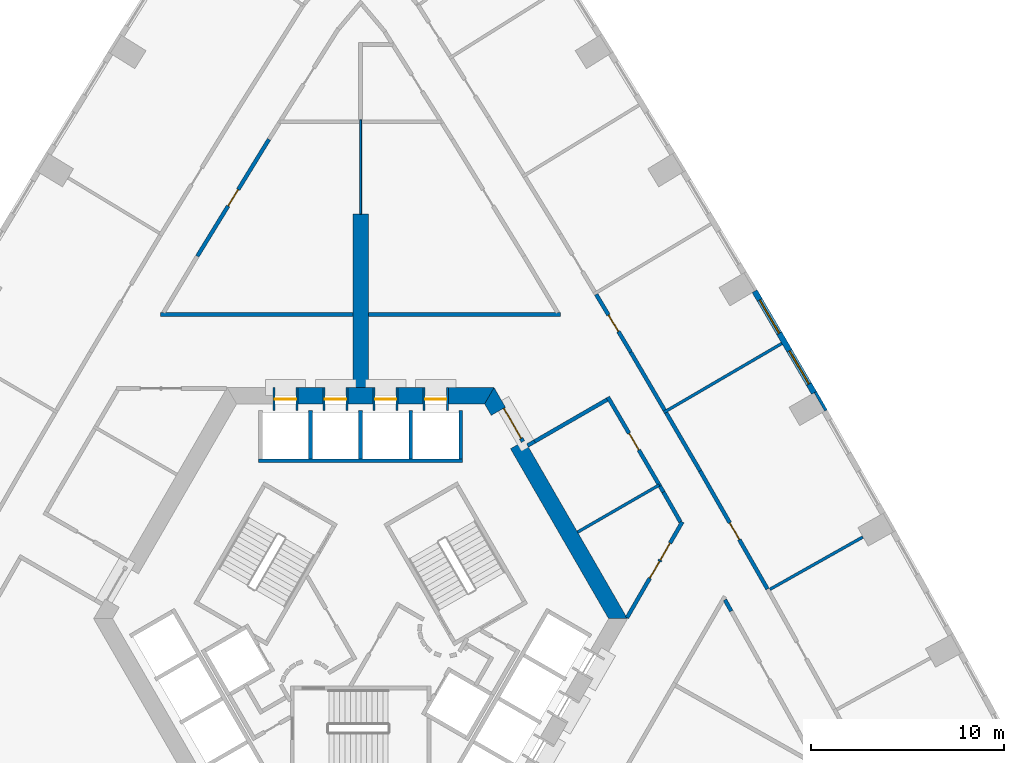
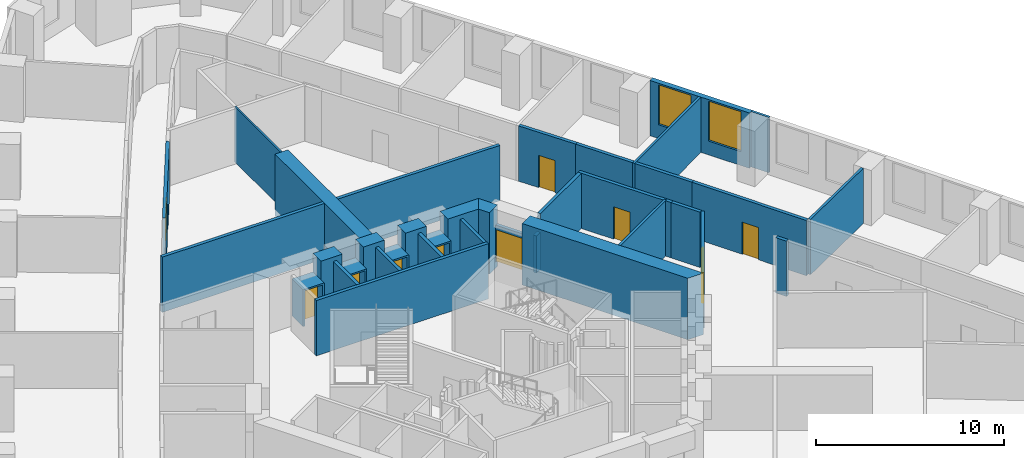
# One storey, part 9 of 15: 37 walls, 11 doors, 2 windows, 13 openings.
"""IFC4 building model written with IfcOpenShell, lengths in metres."""

from ifc_helpers import new_model, si_unit, direction, frame, frame_2d, origin, place, context, subcontext, project, spatial, polyline, rectangle, outline, extrude, material, layer, layer_set, type_object, element, fill, save


model = new_model("IFC4")

# Units and contexts
model_context = context("Model", 3, precision=1e-05, world=origin(), true_north=direction((0.0, 1.0)))
body_context = subcontext(model_context, "Body", "Model", "MODEL_VIEW")
ifc_project = project(units=[si_unit("LENGTHUNIT", "METRE"), si_unit("AREAUNIT", "SQUARE_METRE"), si_unit("VOLUMEUNIT", "CUBIC_METRE"), si_unit("PLANEANGLEUNIT", "RADIAN"), si_unit("MASSUNIT", "GRAM", prefix="KILO")], contexts=[model_context])

# Site, building, storey
site_placement = place(None, origin())
site = spatial("IfcSite", under=ifc_project, at=site_placement, CompositionType="ELEMENT")
building_placement = place(site_placement, origin())
building = spatial("IfcBuilding", under=site, at=building_placement, Name="Entoto Arch Interchange Tower", CompositionType="ELEMENT")
storey_placement = place(building_placement, frame((0.0, 0.0, 128.60009765625)))
storey = spatial("IfcBuildingStorey", under=building, at=storey_placement, Name="L28", CompositionType="ELEMENT", Elevation=128.60009765625)

# Wall
ifc_material_1 = material(Name="Concrete C60/75", Category="concrete")
ifc_layer_1 = layer(ifc_material_1, 0.800048828125)
ifc_layer_set_1 = layer_set([ifc_layer_1], Name="Concrete C60/75")
wall_type_1 = type_object("IfcWallType", Name="Buttress wall 800 C60/75", PredefinedType="SHEAR", material=ifc_layer_set_1)
wall_1_placement = place(storey_placement, frame((0.0, 14.5, -0.400146484375), z_axis=(0.0, 0.0, 1.0), x_axis=(0.0, 1.0, 0.0)))
element("IfcWall", 1, at=wall_1_placement, inside=storey, type_object=wall_type_1, Name="Buttress wall N L28", PredefinedType="SHEAR", context=body_context, shape_type="SweptSolid", body=[
    extrude(rectangle(XDim=9.0, YDim=0.800048828125, at=frame_2d((4.5, 0.0))), origin(), (0.0, 0.0, 1.0), 4.0),
])

# Wall, opening, door
ifc_material_2 = material(Name="Reinforced concrete C40/50", Category="concrete")
ifc_layer_2 = layer(ifc_material_2, 0.199951171875)
ifc_layer_set_2 = layer_set([ifc_layer_2], Name="Reinforced concrete C40/50")
wall_type_2 = type_object("IfcWallType", Name="CORE GAP INFILL WALL", PredefinedType="PARTITIONING", material=ifc_layer_set_2)
wall_2_placement = place(storey_placement, frame((8.429931640625, 11.697998046875, 0.0), z_axis=(0.0, 0.0, 1.0), x_axis=(-0.50002537861, 0.866010750942, 0.0)))
wall_2 = element("IfcWall", 2, at=wall_2_placement, inside=storey, type_object=wall_type_2, Name="wall:L28:gap2", PredefinedType="PARTITIONING", context=body_context, shape_type="SweptSolid", body=[
    extrude(rectangle(XDim=2.0, YDim=0.199951171875, at=frame_2d((1.0, 0.0))), origin(), (0.0, 0.0, 1.0), 2.39990234375),
])
opening_1_placement = place(wall_2_placement, frame((0.18994140625, 0.0, 0.0)))
opening_1 = element("IfcOpeningElement", 3, at=opening_1_placement, cuts=wall_2, Name="Opening L28-D92", PredefinedType="OPENING", context=body_context, shape_type="SweptSolid", body=[
    extrude(rectangle(XDim=1.800048828125, YDim=2.10009765625, at=frame_2d((0.89990234375, 1.050048828125))), frame((0.0, 0.10986328125, 0.0), z_axis=(0.0, -1.0, 0.0), x_axis=(1.0, 0.0, 0.0)), (0.0, 0.0, 1.0), 0.219970703125),
])
ifc_material_3 = material(Name="Fire-rated Steel S235 door and frame", Category="steel")
door_type_1 = type_object("IfcDoorType", Name="DOOR FD-18 1800x2100", OperationType="DOUBLE_DOOR_SINGLE_SWING", PredefinedType="DOOR", material=ifc_material_3)
door_1_placement = place(opening_1_placement, origin())
door_1 = element("IfcDoor", 4, at=door_1_placement, inside=storey, type_object=door_type_1, Name="door:L28:gap2", OperationType="DOUBLE_DOOR_SINGLE_SWING", OverallHeight=2.10009765625, OverallWidth=1.800048828125, PredefinedType="DOOR", context=body_context, shape_type="SweptSolid", body=[
    extrude(rectangle(XDim=1.800048828125, YDim=2.10009765625, at=frame_2d((0.89990234375, 1.050048828125))), frame((0.0, 0.02490234375, 0.0), z_axis=(0.0, -1.0, 0.0), x_axis=(1.0, 0.0, 0.0)), (0.0, 0.0, 1.0), 0.050048828125),
])
fill(opening_1, door_1)

# Walls
ifc_layer_3 = layer(ifc_material_1, 0.85009765625)
ifc_layer_set_3 = layer_set([ifc_layer_3], Name="Concrete C60/75")
wall_type_3 = type_object("IfcWallType", Name="Core wall 850 C60/75", PredefinedType="SHEAR", material=ifc_layer_set_3)
wall_3_placement = place(storey_placement, frame((0.0, 0.0, -0.400146484375)))
element("IfcWall", 5, at=wall_3_placement, inside=storey, type_object=wall_type_3, Name="Core wall NE L28", PredefinedType="SHEAR", context=body_context, shape_type="SweptSolid", body=[
    extrude(outline(polyline([(8.51708984375, 11.748046875), (7.781005859375, 11.322998046875), (12.875, 2.5), (13.85595703125, 2.5), (8.51708984375, 11.748046875)])), origin(), (0.0, 0.0, 1.0), 4.0),
])
wall_4_placement = place(storey_placement, frame((0.0, 0.0, -0.400146484375)))
element("IfcWall", 6, at=wall_4_placement, inside=storey, type_object=wall_type_3, Name="Core wall NE L28", PredefinedType="SHEAR", context=body_context, shape_type="SweptSolid", body=[
    extrude(outline(polyline([(6.781005859375, 13.054931640625), (7.51708984375, 13.47998046875), (6.927978515625, 14.5), (6.43701171875, 13.64990234375), (6.781005859375, 13.054931640625)])), origin(), (0.0, 0.0, 1.0), 4.0),
])
wall_5_placement = place(storey_placement, frame((0.0, 0.0, -0.400146484375)))
element("IfcWall", 7, at=wall_5_placement, inside=storey, type_object=wall_type_3, Name="Core wall N L28", PredefinedType="SHEAR", context=body_context, shape_type="SweptSolid", body=[
    extrude(outline(polyline([(4.550048828125, 14.5), (4.550048828125, 13.64990234375), (6.43701171875, 13.64990234375), (6.927978515625, 14.5), (4.550048828125, 14.5)])), origin(), (0.0, 0.0, 1.0), 4.0),
])
wall_6_placement = place(storey_placement, frame((0.0, 0.0, -0.400146484375)))
element("IfcWall", 8, at=wall_6_placement, inside=storey, type_object=wall_type_3, Name="Core wall N L28", PredefinedType="SHEAR", context=body_context, shape_type="SweptSolid", body=[
    extrude(outline(polyline([(1.949951171875, 14.5), (1.949951171875, 13.64990234375), (3.25, 13.64990234375), (3.25, 14.5), (1.949951171875, 14.5)])), origin(), (0.0, 0.0, 1.0), 4.0),
])
wall_7_placement = place(storey_placement, frame((0.0, 0.0, -0.400146484375)))
element("IfcWall", 9, at=wall_7_placement, inside=storey, type_object=wall_type_3, Name="Core wall N L28", PredefinedType="SHEAR", context=body_context, shape_type="SweptSolid", body=[
    extrude(outline(polyline([(-0.64990234375, 14.5), (-0.64990234375, 13.64990234375), (0.64990234375, 13.64990234375), (0.64990234375, 14.5), (-0.64990234375, 14.5)])), origin(), (0.0, 0.0, 1.0), 4.0),
])
wall_8_placement = place(storey_placement, frame((0.0, 0.0, -0.400146484375)))
element("IfcWall", 10, at=wall_8_placement, inside=storey, type_object=wall_type_3, Name="Core wall N L28", PredefinedType="SHEAR", context=body_context, shape_type="SweptSolid", body=[
    extrude(outline(polyline([(-3.25, 14.5), (-3.25, 13.64990234375), (-1.949951171875, 13.64990234375), (-1.949951171875, 14.5), (-3.25, 14.5)])), origin(), (0.0, 0.0, 1.0), 4.0),
])

# Wall, opening, door
ifc_material_4 = material(Name="Concrete C40/50", Category="concrete")
ifc_layer_4 = layer(ifc_material_4, 1.199951171875)
ifc_layer_set_4 = layer_set([ifc_layer_4], Name="Concrete C40/50")
wall_type_4 = type_object("IfcWallType", Name="LIFT LANDING INFILL WALL", PredefinedType="STANDARD", material=ifc_layer_set_4)
wall_9_placement = place(storey_placement, frame((4.550048828125, 13.89990234375, 0.0), z_axis=(0.0, 0.0, 1.0), x_axis=(-1.0, 0.0, 0.0)))
wall_9 = element("IfcWall", 11, at=wall_9_placement, inside=storey, type_object=wall_type_4, Name="Lift landing infill wall LR1 L28", PredefinedType="STANDARD", context=body_context, shape_type="SweptSolid", body=[
    extrude(rectangle(XDim=1.300048828125, YDim=1.199951171875, at=frame_2d((0.64990234375, 0.0))), origin(), (0.0, 0.0, 1.0), 2.39990234375),
])
opening_2_placement = place(wall_9_placement, frame((0.10009765625, 0.0, 0.0)))
opening_2 = element("IfcOpeningElement", 12, at=opening_2_placement, cuts=wall_9, Name="Opening LD-LR1-L28", PredefinedType="OPENING", context=body_context, shape_type="SweptSolid", body=[
    extrude(rectangle(XDim=1.10009765625, YDim=2.300048828125, at=frame_2d((0.550048828125, 1.14990234375))), frame((0.0, 0.60986328125, 0.0), z_axis=(0.0, -1.0, 0.0), x_axis=(1.0, 0.0, 0.0)), (0.0, 0.0, 1.0), 1.219970703125),
])
ifc_material_5 = material(Name="Stainless steel 1.4301 panels", Category="steel")
door_type_2 = type_object("IfcDoorType", Name="LIFT LANDING DOOR LD2 1100x2300", OperationType="SLIDING_TO_LEFT", PredefinedType="DOOR", material=ifc_material_5)
door_2_placement = place(opening_2_placement, origin())
door_2 = element("IfcDoor", 13, at=door_2_placement, inside=storey, type_object=door_type_2, Name="Lift landing door LR1 L28", OperationType="SLIDING_TO_LEFT", OverallHeight=2.300048828125, OverallWidth=1.10009765625, PredefinedType="DOOR", context=body_context, shape_type="SweptSolid", body=[
    extrude(rectangle(XDim=1.10009765625, YDim=2.300048828125, at=frame_2d((0.550048828125, 1.14990234375))), frame((0.0, 0.02490234375, 0.0), z_axis=(0.0, -1.0, 0.0), x_axis=(1.0, 0.0, 0.0)), (0.0, 0.0, 1.0), 0.050048828125),
])
fill(opening_2, door_2)

wall_10_placement = place(storey_placement, frame((1.949951171875, 13.89990234375, 0.0), z_axis=(0.0, 0.0, 1.0), x_axis=(-1.0, 0.0, 0.0)))
wall_10 = element("IfcWall", 14, at=wall_10_placement, inside=storey, type_object=wall_type_4, Name="Lift landing infill wall LR2 L28", PredefinedType="STANDARD", context=body_context, shape_type="SweptSolid", body=[
    extrude(rectangle(XDim=1.300048828125, YDim=1.199951171875, at=frame_2d((0.64990234375, 0.0))), origin(), (0.0, 0.0, 1.0), 2.39990234375),
])
opening_3_placement = place(wall_10_placement, frame((0.10009765625, 0.0, 0.0)))
opening_3 = element("IfcOpeningElement", 15, at=opening_3_placement, cuts=wall_10, Name="Opening LD-LR2-L28", PredefinedType="OPENING", context=body_context, shape_type="SweptSolid", body=[
    extrude(rectangle(XDim=1.10009765625, YDim=2.300048828125, at=frame_2d((0.550048828125, 1.14990234375))), frame((0.0, 0.60986328125, 0.0), z_axis=(0.0, -1.0, 0.0), x_axis=(1.0, 0.0, 0.0)), (0.0, 0.0, 1.0), 1.219970703125),
])
door_3_placement = place(opening_3_placement, origin())
door_3 = element("IfcDoor", 16, at=door_3_placement, inside=storey, type_object=door_type_2, Name="Lift landing door LR2 L28", OperationType="SLIDING_TO_LEFT", OverallHeight=2.300048828125, OverallWidth=1.10009765625, PredefinedType="DOOR", context=body_context, shape_type="SweptSolid", body=[
    extrude(rectangle(XDim=1.10009765625, YDim=2.300048828125, at=frame_2d((0.550048828125, 1.14990234375))), frame((0.0, 0.02490234375, 0.0), z_axis=(0.0, -1.0, 0.0), x_axis=(1.0, 0.0, 0.0)), (0.0, 0.0, 1.0), 0.050048828125),
])
fill(opening_3, door_3)

wall_11_placement = place(storey_placement, frame((-0.64990234375, 13.89990234375, 0.0), z_axis=(0.0, 0.0, 1.0), x_axis=(-1.0, 0.0, 0.0)))
wall_11 = element("IfcWall", 17, at=wall_11_placement, inside=storey, type_object=wall_type_4, Name="Lift landing infill wall LR3 L28", PredefinedType="STANDARD", context=body_context, shape_type="SweptSolid", body=[
    extrude(rectangle(XDim=1.300048828125, YDim=1.199951171875, at=frame_2d((0.64990234375, 0.0))), origin(), (0.0, 0.0, 1.0), 2.39990234375),
])
opening_4_placement = place(wall_11_placement, frame((0.10009765625, 0.0, 0.0)))
opening_4 = element("IfcOpeningElement", 18, at=opening_4_placement, cuts=wall_11, Name="Opening LD-LR3-L28", PredefinedType="OPENING", context=body_context, shape_type="SweptSolid", body=[
    extrude(rectangle(XDim=1.10009765625, YDim=2.300048828125, at=frame_2d((0.550048828125, 1.14990234375))), frame((0.0, 0.60986328125, 0.0), z_axis=(0.0, -1.0, 0.0), x_axis=(1.0, 0.0, 0.0)), (0.0, 0.0, 1.0), 1.219970703125),
])
door_4_placement = place(opening_4_placement, origin())
door_4 = element("IfcDoor", 19, at=door_4_placement, inside=storey, type_object=door_type_2, Name="Lift landing door LR3 L28", OperationType="SLIDING_TO_LEFT", OverallHeight=2.300048828125, OverallWidth=1.10009765625, PredefinedType="DOOR", context=body_context, shape_type="SweptSolid", body=[
    extrude(rectangle(XDim=1.10009765625, YDim=2.300048828125, at=frame_2d((0.550048828125, 1.14990234375))), frame((0.0, 0.02490234375, 0.0), z_axis=(0.0, -1.0, 0.0), x_axis=(1.0, 0.0, 0.0)), (0.0, 0.0, 1.0), 0.050048828125),
])
fill(opening_4, door_4)

wall_12_placement = place(storey_placement, frame((-3.25, 13.89990234375, 0.0), z_axis=(0.0, 0.0, 1.0), x_axis=(-1.0, 0.0, 0.0)))
wall_12 = element("IfcWall", 20, at=wall_12_placement, inside=storey, type_object=wall_type_4, Name="Lift landing infill wall LR4 L28", PredefinedType="STANDARD", context=body_context, shape_type="SweptSolid", body=[
    extrude(rectangle(XDim=1.300048828125, YDim=1.199951171875, at=frame_2d((0.64990234375, 0.0))), origin(), (0.0, 0.0, 1.0), 2.39990234375),
])
opening_5_placement = place(wall_12_placement, frame((0.10009765625, 0.0, 0.0)))
opening_5 = element("IfcOpeningElement", 21, at=opening_5_placement, cuts=wall_12, Name="Opening LD-LR4-L28", PredefinedType="OPENING", context=body_context, shape_type="SweptSolid", body=[
    extrude(rectangle(XDim=1.10009765625, YDim=2.300048828125, at=frame_2d((0.550048828125, 1.14990234375))), frame((0.0, 0.60986328125, 0.0), z_axis=(0.0, -1.0, 0.0), x_axis=(1.0, 0.0, 0.0)), (0.0, 0.0, 1.0), 1.219970703125),
])
door_5_placement = place(opening_5_placement, origin())
door_5 = element("IfcDoor", 22, at=door_5_placement, inside=storey, type_object=door_type_2, Name="Lift landing door LR4 L28", OperationType="SLIDING_TO_LEFT", OverallHeight=2.300048828125, OverallWidth=1.10009765625, PredefinedType="DOOR", context=body_context, shape_type="SweptSolid", body=[
    extrude(rectangle(XDim=1.10009765625, YDim=2.300048828125, at=frame_2d((0.550048828125, 1.14990234375))), frame((0.0, 0.02490234375, 0.0), z_axis=(0.0, -1.0, 0.0), x_axis=(1.0, 0.0, 0.0)), (0.0, 0.0, 1.0), 0.050048828125),
])
fill(opening_5, door_5)

# Walls
ifc_layer_5 = layer(ifc_material_4, 0.199951171875)
ifc_layer_set_5 = layer_set([ifc_layer_5], Name="Concrete C40/50")
wall_type_5 = type_object("IfcWallType", Name="LIFT SHAFT WALL 200", PredefinedType="STANDARD", material=ifc_layer_set_5)
wall_13_placement = place(storey_placement, frame((5.300048828125, 10.699951171875, 0.0), z_axis=(0.0, 0.0, 1.0), x_axis=(-1.0, 0.0, 0.0)))
element("IfcWall", 23, at=wall_13_placement, inside=storey, type_object=wall_type_5, Name="Shaft wall N3 front", PredefinedType="STANDARD", context=body_context, shape_type="SweptSolid", body=[
    extrude(rectangle(XDim=10.60009765625, YDim=0.199951171875, at=frame_2d((5.300048828125, 0.0))), origin(), (0.0, 0.0, 1.0), 3.599853515625),
])
for number, where, z_axis, x_axis, name in (
    (24, (5.199951171875, 10.800048828125, 0.0), (0.0, 0.0, 1.0), (0.0, 1.0, 0.0), "Shaft wall N3 cross 1"),
    (25, (2.60009765625, 10.800048828125, 0.0), (0.0, 0.0, 1.0), (0.0, 1.0, 0.0), "Shaft wall N3 cross 2"),
    (26, (0.0, 10.800048828125, 0.0), (0.0, 0.0, 1.0), (0.0, 1.0, 0.0), "Shaft wall N3 cross 3"),
    (27, (-2.60009765625, 10.800048828125, 0.0), (0.0, 0.0, 1.0), (0.0, 1.0, 0.0), "Shaft wall N3 cross 4"),
):
    element("IfcWall", number, at=place(storey_placement, frame(where, z_axis=z_axis, x_axis=x_axis)), inside=storey, type_object=wall_type_5, Name=name, PredefinedType="STANDARD", context=body_context, shape_type="SweptSolid", body=[
        extrude(rectangle(XDim=2.5, YDim=0.199951171875, at=frame_2d((1.25, 0.0))), origin(), (0.0, 0.0, 1.0), 3.599853515625),
    ])
ifc_material_6 = material(Name="Gypsum board partition on steel studs", Category="steel")
ifc_layer_6 = layer(ifc_material_6, 0.10009765625)
ifc_layer_set_6 = layer_set([ifc_layer_6], Name="Gypsum board partition on steel studs")
wall_type_6 = type_object("IfcWallType", Name="PARTITION 100", PredefinedType="PARTITIONING", material=ifc_layer_set_6)
wall_14_placement = place(storey_placement, frame((0.0, 23.5, 0.0), z_axis=(0.0, 0.0, 1.0), x_axis=(0.0, 1.0, 0.0)))
element("IfcWall", 28, at=wall_14_placement, inside=storey, type_object=wall_type_6, Name="wall:L28:p124", PredefinedType="PARTITIONING", context=body_context, shape_type="SweptSolid", body=[
    extrude(rectangle(XDim=4.89990234375, YDim=0.10009765625, at=frame_2d((2.449951171875, 0.0))), origin(), (0.0, 0.0, 1.0), 3.599853515625),
])
ifc_layer_7 = layer(ifc_material_6, 0.14990234375)
ifc_layer_set_7 = layer_set([ifc_layer_7], Name="Gypsum board partition on steel studs")
wall_type_7 = type_object("IfcWallType", Name="PARTITION 150", PredefinedType="PARTITIONING", material=ifc_layer_set_7)
wall_15_placement = place(storey_placement, frame((11.260986328125, 6.993896484375, 0.0), z_axis=(0.0, 0.0, 1.0), x_axis=(0.866013769041, 0.500020151426, 0.0)))
element("IfcWall", 29, at=wall_15_placement, inside=storey, type_object=wall_type_7, Name="wall:L28:p097", PredefinedType="PARTITIONING", context=body_context, shape_type="SweptSolid", body=[
    extrude(rectangle(XDim=4.898193359375, YDim=0.14990234375, at=frame_2d((2.44921875, 0.0))), origin(), (0.0, 0.0, 1.0), 3.599853515625),
])
wall_16_placement = place(storey_placement, frame((21.2470703125, 4.02392578125, 0.0), z_axis=(0.0, 0.0, 1.0), x_axis=(0.871261721438, 0.490818716795, 0.0)))
element("IfcWall", 30, at=wall_16_placement, inside=storey, type_object=wall_type_7, Name="wall:L28:p139", PredefinedType="PARTITIONING", context=body_context, shape_type="SweptSolid", body=[
    extrude(rectangle(XDim=5.52978515625, YDim=0.14990234375, at=frame_2d((2.764892578125, 0.0))), origin(), (0.0, 0.0, 1.0), 3.599853515625),
])
wall_17_placement = place(storey_placement, frame((15.736083984375, 13.20703125, 0.0), z_axis=(0.0, 0.0, 1.0), x_axis=(0.863454426155, 0.504426856892, 0.0)))
element("IfcWall", 31, at=wall_17_placement, inside=storey, type_object=wall_type_7, Name="wall:L28:p140", PredefinedType="PARTITIONING", context=body_context, shape_type="SweptSolid", body=[
    extrude(rectangle(XDim=7.099365234375, YDim=0.14990234375, at=frame_2d((3.5498046875, 0.0))), origin(), (0.0, 0.0, 1.0), 3.599853515625),
])
ifc_layer_8 = layer(ifc_material_6, 0.199951171875)
ifc_layer_set_8 = layer_set([ifc_layer_8], Name="Gypsum board partition on steel studs")
wall_type_8 = type_object("IfcWallType", Name="PARTITION 200", PredefinedType="PARTITIONING", material=ifc_layer_set_8)
wall_18_placement = place(storey_placement, frame((16.60107421875, 7.52587890625, 0.0), z_axis=(0.0, 0.0, 1.0), x_axis=(-0.495652400286, 0.868520983103, 0.0)))
element("IfcWall", 32, at=wall_18_placement, inside=storey, type_object=wall_type_8, Name="wall:L28:p005", PredefinedType="PARTITIONING", context=body_context, shape_type="SweptSolid", body=[
    extrude(rectangle(XDim=1.78369140625, YDim=0.199951171875, at=frame_2d((0.891845703125, 0.0))), origin(), (0.0, 0.0, 1.0), 3.599853515625),
])
wall_19_placement = place(storey_placement, frame((15.717041015625, 9.074951171875, 0.0), z_axis=(0.0, 0.0, 1.0), x_axis=(-0.50235401398, 0.864662040706, 0.0)))
element("IfcWall", 33, at=wall_19_placement, inside=storey, type_object=wall_type_8, Name="wall:L28:p006", PredefinedType="PARTITIONING", context=body_context, shape_type="SweptSolid", body=[
    extrude(rectangle(XDim=0.350341796875, YDim=0.199951171875, at=frame_2d((0.17529296875, 0.0))), origin(), (0.0, 0.0, 1.0), 3.599853515625),
])

# Wall, opening, door
wall_20_placement = place(storey_placement, frame((15.541015625, 9.3779296875, 0.0), z_axis=(0.0, 0.0, 1.0), x_axis=(-0.504428354193, 0.863453551435, 0.0)))
wall_20 = element("IfcWall", 34, at=wall_20_placement, inside=storey, type_object=wall_type_8, Name="wall:L28:p007", PredefinedType="PARTITIONING", context=body_context, shape_type="SweptSolid", body=[
    extrude(rectangle(XDim=5.364501953125, YDim=0.199951171875, at=frame_2d((2.68212890625, 0.0))), origin(), (0.0, 0.0, 1.0), 3.599853515625),
])
opening_6_placement = place(wall_20_placement, frame((2.181884765625, 0.0, 0.0)))
opening_6 = element("IfcOpeningElement", 35, at=opening_6_placement, cuts=wall_20, Name="Opening L28-D34", PredefinedType="OPENING", context=body_context, shape_type="SweptSolid", body=[
    extrude(rectangle(XDim=1.0, YDim=2.10009765625, at=frame_2d((0.5, 1.050048828125))), frame((0.0, 0.10986328125, 0.0), z_axis=(0.0, -1.0, 0.0), x_axis=(1.0, 0.0, 0.0)), (0.0, 0.0, 1.0), 0.219970703125),
])
ifc_material_7 = material(Name="Timber door leaf in Steel S235 frame", Category="steel")
door_type_3 = type_object("IfcDoorType", Name="DOOR DS-10 1000x2100", OperationType="SINGLE_SWING_LEFT", PredefinedType="DOOR", material=ifc_material_7)
door_6_placement = place(opening_6_placement, origin())
door_6 = element("IfcDoor", 36, at=door_6_placement, inside=storey, type_object=door_type_3, Name="door:L28:34", OperationType="SINGLE_SWING_LEFT", OverallHeight=2.10009765625, OverallWidth=1.0, PredefinedType="DOOR", context=body_context, shape_type="SweptSolid", body=[
    extrude(rectangle(XDim=1.0, YDim=2.10009765625, at=frame_2d((0.5, 1.050048828125))), frame((0.0, 0.02490234375, 0.0), z_axis=(0.0, -1.0, 0.0), x_axis=(1.0, 0.0, 0.0)), (0.0, 0.0, 1.0), 0.050048828125),
])
fill(opening_6, door_6)

# Wall
wall_21_placement = place(storey_placement, frame((12.798095703125, 13.873046875, 0.0), z_axis=(0.0, 0.0, 1.0), x_axis=(-0.866080799279, -0.499904039911, 0.0)))
element("IfcWall", 37, at=wall_21_placement, inside=storey, type_object=wall_type_8, Name="wall:L28:p008", PredefinedType="PARTITIONING", context=body_context, shape_type="SweptSolid", body=[
    extrude(rectangle(XDim=4.344970703125, YDim=0.199951171875, at=frame_2d((2.17236328125, 0.0))), origin(), (0.0, 0.0, 1.0), 3.599853515625),
])

# Wall, opening, door
wall_22_placement = place(storey_placement, frame((-4.756103515625, 27.385986328125, 0.0), z_axis=(0.0, 0.0, 1.0), x_axis=(-0.522743103274, -0.852490262689, 0.0)))
wall_22 = element("IfcWall", 38, at=wall_22_placement, inside=storey, type_object=wall_type_8, Name="wall:L28:p013", PredefinedType="PARTITIONING", context=body_context, shape_type="SweptSolid", body=[
    extrude(rectangle(XDim=7.114501953125, YDim=0.199951171875, at=frame_2d((3.55712890625, 0.0))), origin(), (0.0, 0.0, 1.0), 3.599853515625),
])
opening_7_placement = place(wall_22_placement, frame((3.056884765625, 0.0, 0.0)))
opening_7 = element("IfcOpeningElement", 39, at=opening_7_placement, cuts=wall_22, Name="Opening L28-D27", PredefinedType="OPENING", context=body_context, shape_type="SweptSolid", body=[
    extrude(rectangle(XDim=1.0, YDim=2.10009765625, at=frame_2d((0.5, 1.050048828125))), frame((0.0, 0.10986328125, 0.0), z_axis=(0.0, -1.0, 0.0), x_axis=(1.0, 0.0, 0.0)), (0.0, 0.0, 1.0), 0.219970703125),
])
door_7_placement = place(opening_7_placement, origin())
door_7 = element("IfcDoor", 40, at=door_7_placement, inside=storey, type_object=door_type_3, Name="door:L28:27", OperationType="SINGLE_SWING_RIGHT", OverallHeight=2.10009765625, OverallWidth=1.0, PredefinedType="DOOR", context=body_context, shape_type="SweptSolid", body=[
    extrude(rectangle(XDim=1.0, YDim=2.10009765625, at=frame_2d((0.5, 1.050048828125))), frame((0.0, 0.02490234375, 0.0), z_axis=(0.0, -1.0, 0.0), x_axis=(1.0, 0.0, 0.0)), (0.0, 0.0, 1.0), 0.050048828125),
])
fill(opening_7, door_7)

# Walls
wall_23_placement = place(storey_placement, frame((19.242919921875, 2.89404296875, 0.0), z_axis=(0.0, 0.0, 1.0), x_axis=(-0.494108984218, 0.869399972231, 0.0)))
element("IfcWall", 41, at=wall_23_placement, inside=storey, type_object=wall_type_8, Name="wall:L28:p024", PredefinedType="PARTITIONING", context=body_context, shape_type="SweptSolid", body=[
    extrude(rectangle(XDim=0.674072265625, YDim=0.199951171875, at=frame_2d((0.3369140625, 0.0))), origin(), (0.0, 0.0, 1.0), 3.599853515625),
])
wall_24_placement = place(storey_placement, frame((15.860107421875, 13.193115234375, 0.0), z_axis=(0.0, 0.0, 1.0), x_axis=(0.504383407959, -0.863479807393, 0.0)))
element("IfcWall", 42, at=wall_24_placement, inside=storey, type_object=wall_type_8, Name="wall:L28:p054", PredefinedType="PARTITIONING", context=body_context, shape_type="SweptSolid", body=[
    extrude(rectangle(XDim=3.4951171875, YDim=0.199951171875, at=frame_2d((1.74755859375, 0.0))), origin(), (0.0, 0.0, 1.0), 3.599853515625),
])

# Wall, opening, door
wall_25_placement = place(storey_placement, frame((17.623046875, 10.175048828125, 0.0), z_axis=(0.0, 0.0, 1.0), x_axis=(0.4954688358, -0.868625714995, 0.0)))
wall_25 = element("IfcWall", 43, at=wall_25_placement, inside=storey, type_object=wall_type_8, Name="wall:L28:p055", PredefinedType="PARTITIONING", context=body_context, shape_type="SweptSolid", body=[
    extrude(rectangle(XDim=7.06396484375, YDim=0.199951171875, at=frame_2d((3.531982421875, 0.0))), origin(), (0.0, 0.0, 1.0), 3.599853515625),
])
opening_8_placement = place(wall_25_placement, frame((3.10693359375, 0.0, 0.0)))
opening_8 = element("IfcOpeningElement", 44, at=opening_8_placement, cuts=wall_25, Name="Opening L28-D08", PredefinedType="OPENING", context=body_context, shape_type="SweptSolid", body=[
    extrude(rectangle(XDim=1.0, YDim=2.10009765625, at=frame_2d((0.5, 1.050048828125))), frame((0.0, 0.10986328125, 0.0), z_axis=(0.0, -1.0, 0.0), x_axis=(1.0, 0.0, 0.0)), (0.0, 0.0, 1.0), 0.219970703125),
])
door_8_placement = place(opening_8_placement, origin())
door_8 = element("IfcDoor", 45, at=door_8_placement, inside=storey, type_object=door_type_3, Name="door:L28:08", OperationType="SINGLE_SWING_LEFT", OverallHeight=2.10009765625, OverallWidth=1.0, PredefinedType="DOOR", context=body_context, shape_type="SweptSolid", body=[
    extrude(rectangle(XDim=1.0, YDim=2.10009765625, at=frame_2d((0.5, 1.050048828125))), frame((0.0, 0.02490234375, 0.0), z_axis=(0.0, -1.0, 0.0), x_axis=(1.0, 0.0, 0.0)), (0.0, 0.0, 1.0), 0.050048828125),
])
fill(opening_8, door_8)

wall_26_placement = place(storey_placement, frame((12.22802734375, 19.3349609375, 0.0), z_axis=(0.0, 0.0, 1.0), x_axis=(0.513796731551, -0.857911952736, 0.0)))
wall_26 = element("IfcWall", 46, at=wall_26_placement, inside=storey, type_object=wall_type_8, Name="wall:L28:p056", PredefinedType="PARTITIONING", context=body_context, shape_type="SweptSolid", body=[
    extrude(rectangle(XDim=3.493408203125, YDim=0.199951171875, at=frame_2d((1.74658203125, 0.0))), origin(), (0.0, 0.0, 1.0), 3.599853515625),
])
opening_9_placement = place(wall_26_placement, frame((1.2470703125, 0.0, 0.0)))
opening_9 = element("IfcOpeningElement", 47, at=opening_9_placement, cuts=wall_26, Name="Opening L28-D09", PredefinedType="OPENING", context=body_context, shape_type="SweptSolid", body=[
    extrude(rectangle(XDim=1.0, YDim=2.10009765625, at=frame_2d((0.5, 1.050048828125))), frame((0.0, 0.10986328125, 0.0), z_axis=(0.0, -1.0, 0.0), x_axis=(1.0, 0.0, 0.0)), (0.0, 0.0, 1.0), 0.219970703125),
])
door_9_placement = place(opening_9_placement, origin())
door_9 = element("IfcDoor", 48, at=door_9_placement, inside=storey, type_object=door_type_3, Name="door:L28:09", OperationType="SINGLE_SWING_LEFT", OverallHeight=2.10009765625, OverallWidth=1.0, PredefinedType="DOOR", context=body_context, shape_type="SweptSolid", body=[
    extrude(rectangle(XDim=1.0, YDim=2.10009765625, at=frame_2d((0.5, 1.050048828125))), frame((0.0, 0.02490234375, 0.0), z_axis=(0.0, -1.0, 0.0), x_axis=(1.0, 0.0, 0.0)), (0.0, 0.0, 1.0), 0.050048828125),
])
fill(opening_9, door_9)

# Wall
wall_27_placement = place(storey_placement, frame((14.02294921875, 16.337890625, 0.0), z_axis=(0.0, 0.0, 1.0), x_axis=(0.50424043703, -0.863563304954, 0.0)))
element("IfcWall", 49, at=wall_27_placement, inside=storey, type_object=wall_type_8, Name="wall:L28:p057", PredefinedType="PARTITIONING", context=body_context, shape_type="SweptSolid", body=[
    extrude(rectangle(XDim=3.492431640625, YDim=0.199951171875, at=frame_2d((1.74609375, 0.0))), origin(), (0.0, 0.0, 1.0), 3.599853515625),
])

# Wall, openings, doors
wall_28_placement = place(storey_placement, frame((13.826904296875, 2.550048828125, 0.0), z_axis=(0.0, 0.0, 1.0), x_axis=(0.500032637853, 0.866006559491, 0.0)))
wall_28 = element("IfcWall", 50, at=wall_28_placement, inside=storey, type_object=wall_type_8, Name="wall:L28:p098", PredefinedType="PARTITIONING", context=body_context, shape_type="SweptSolid", body=[
    extrude(rectangle(XDim=5.74560546875, YDim=0.199951171875, at=frame_2d((2.872802734375, 0.0))), origin(), (0.0, 0.0, 1.0), 3.599853515625),
])
opening_10_placement = place(wall_28_placement, frame((2.373046875, 0.0, 0.0)))
opening_10 = element("IfcOpeningElement", 51, at=opening_10_placement, cuts=wall_28, Name="Opening L28-D33", PredefinedType="OPENING", context=body_context, shape_type="SweptSolid", body=[
    extrude(rectangle(XDim=1.0, YDim=2.10009765625, at=frame_2d((0.5, 1.050048828125))), frame((0.0, 0.10986328125, 0.0), z_axis=(0.0, -1.0, 0.0), x_axis=(1.0, 0.0, 0.0)), (0.0, 0.0, 1.0), 0.219970703125),
])
opening_11_placement = place(wall_28_placement, frame((3.472900390625, 0.0, 0.0)))
opening_11 = element("IfcOpeningElement", 52, at=opening_11_placement, cuts=wall_28, Name="Opening L28-D41", PredefinedType="OPENING", context=body_context, shape_type="SweptSolid", body=[
    extrude(rectangle(XDim=1.0, YDim=2.10009765625, at=frame_2d((0.5, 1.050048828125))), frame((0.0, 0.10986328125, 0.0), z_axis=(0.0, -1.0, 0.0), x_axis=(1.0, 0.0, 0.0)), (0.0, 0.0, 1.0), 0.219970703125),
])
door_10_placement = place(opening_10_placement, origin())
door_10 = element("IfcDoor", 53, at=door_10_placement, inside=storey, type_object=door_type_3, Name="door:L28:33", OperationType="SINGLE_SWING_LEFT", OverallHeight=2.10009765625, OverallWidth=1.0, PredefinedType="DOOR", context=body_context, shape_type="SweptSolid", body=[
    extrude(rectangle(XDim=1.0, YDim=2.10009765625, at=frame_2d((0.5, 1.050048828125))), frame((0.0, 0.02490234375, 0.0), z_axis=(0.0, -1.0, 0.0), x_axis=(1.0, 0.0, 0.0)), (0.0, 0.0, 1.0), 0.050048828125),
])
fill(opening_10, door_10)
door_11_placement = place(opening_11_placement, origin())
door_11 = element("IfcDoor", 54, at=door_11_placement, inside=storey, type_object=door_type_3, Name="door:L28:41", OperationType="SINGLE_SWING_RIGHT", OverallHeight=2.10009765625, OverallWidth=1.0, PredefinedType="DOOR", context=body_context, shape_type="SweptSolid", body=[
    extrude(rectangle(XDim=1.0, YDim=2.10009765625, at=frame_2d((0.5, 1.050048828125))), frame((0.0, 0.02490234375, 0.0), z_axis=(0.0, -1.0, 0.0), x_axis=(1.0, 0.0, 0.0)), (0.0, 0.0, 1.0), 0.050048828125),
])
fill(opening_11, door_11)

# Walls
for number, where, z_axis, x_axis, name in (
    (55, (0.39990234375, 18.300048828125, 0.0), (0.0, 0.0, 1.0), (1.0, 0.0, 0.0), "wall:L28:p120"),
    (56, (-10.384033203125, 18.300048828125, 0.0), (0.0, 0.0, 1.0), (1.0, 0.0, 0.0), "wall:L28:p121"),
):
    element("IfcWall", number, at=place(storey_placement, frame(where, z_axis=z_axis, x_axis=x_axis)), inside=storey, type_object=wall_type_8, Name=name, PredefinedType="PARTITIONING", context=body_context, shape_type="SweptSolid", body=[
        extrude(rectangle(XDim=9.984130859375, YDim=0.199951171875, at=frame_2d((4.9921875, 0.0))), origin(), (0.0, 0.0, 1.0), 3.599853515625),
    ])
wall_29_placement = place(storey_placement, frame((9.034912109375, 11.700927734375, 0.0), z_axis=(0.0, 0.0, 1.0), x_axis=(-0.865544229481, -0.500832493767, 0.0)))
element("IfcWall", 57, at=wall_29_placement, inside=storey, type_object=wall_type_8, Name="wall:L28:p008", PredefinedType="PARTITIONING", context=body_context, shape_type="SweptSolid", body=[
    extrude(rectangle(XDim=0.425048828125, YDim=0.199951171875, at=frame_2d((0.21240234375, 0.0))), origin(), (0.0, 0.0, 1.0), 2.39990234375),
])

# Wall, openings, windows
ifc_material_8 = material(Name="Welded tuff (ignimbrite) cladding, warm buff", Category="masonry")
ifc_layer_9 = layer(ifc_material_8, 0.300048828125)
ifc_layer_set_9 = layer_set([ifc_layer_9], Name="Welded tuff (ignimbrite) cladding, warm buff")
wall_type_9 = type_object("IfcWallType", Name="STONE INFILL WALL 300", PredefinedType="STANDARD", material=ifc_layer_set_9)
wall_30_placement = place(storey_placement, frame((23.5380859375, 14.22412109375, 0.0), z_axis=(0.0, 0.0, 1.0), x_axis=(-0.504441987427, 0.863445586775, 0.0)))
wall_30 = element("IfcWall", 58, at=wall_30_placement, inside=storey, type_object=wall_type_9, Name="Facade wall NE-05 L28", PredefinedType="STANDARD", context=body_context, shape_type="SweptSolid", body=[
    extrude(rectangle(XDim=6.11376953125, YDim=0.300048828125, at=frame_2d((3.056884765625, 0.0))), origin(), (0.0, 0.0, 1.0), 3.599853515625),
])
opening_12_placement = place(wall_30_placement, frame((0.528076171875, 0.0, 0.89990234375)))
opening_12 = element("IfcOpeningElement", 59, at=opening_12_placement, cuts=wall_30, Name="Opening WO-C", PredefinedType="OPENING", context=body_context, shape_type="SweptSolid", body=[
    extrude(rectangle(XDim=2.0, YDim=2.60009765625, at=frame_2d((1.0, 1.300048828125))), frame((0.0, 0.16015625, 0.0), z_axis=(0.0, -1.0, 0.0), x_axis=(1.0, 0.0, 0.0)), (0.0, 0.0, 1.0), 0.320068359375),
])
opening_13_placement = place(wall_30_placement, frame((3.5849609375, 0.0, 0.89990234375)))
opening_13 = element("IfcOpeningElement", 60, at=opening_13_placement, cuts=wall_30, Name="Opening WO-C", PredefinedType="OPENING", context=body_context, shape_type="SweptSolid", body=[
    extrude(rectangle(XDim=2.0, YDim=2.60009765625, at=frame_2d((1.0, 1.300048828125))), frame((0.0, 0.16015625, 0.0), z_axis=(0.0, -1.0, 0.0), x_axis=(1.0, 0.0, 0.0)), (0.0, 0.0, 1.0), 0.320068359375),
])
ifc_material_9 = material(Name="Clear glass, low-e double glazed", Category="glass")
window_type = type_object("IfcWindowType", Name="WINDOW WO-C 2000x2600", PartitioningType="DOUBLE_PANEL_VERTICAL", PredefinedType="WINDOW", material=ifc_material_9)
window_1_placement = place(opening_12_placement, origin())
window_1 = element("IfcWindow", 61, at=window_1_placement, inside=storey, type_object=window_type, Name="Window WO-C NE-05 L28", OverallHeight=2.60009765625, OverallWidth=2.0, PartitioningType="SINGLE_PANEL", PredefinedType="WINDOW", context=body_context, shape_type="SweptSolid", body=[
    extrude(rectangle(XDim=2.0, YDim=2.60009765625, at=frame_2d((1.0, 1.300048828125))), frame((0.0, 0.030029296875, 0.0), z_axis=(0.0, -1.0, 0.0), x_axis=(1.0, 0.0, 0.0)), (0.0, 0.0, 1.0), 0.06005859375),
])
fill(opening_12, window_1)
window_2_placement = place(opening_13_placement, origin())
window_2 = element("IfcWindow", 62, at=window_2_placement, inside=storey, type_object=window_type, Name="Window WO-C NE-05 L28", OverallHeight=2.60009765625, OverallWidth=2.0, PartitioningType="SINGLE_PANEL", PredefinedType="WINDOW", context=body_context, shape_type="SweptSolid", body=[
    extrude(rectangle(XDim=2.0, YDim=2.60009765625, at=frame_2d((1.0, 1.300048828125))), frame((0.0, 0.030029296875, 0.0), z_axis=(0.0, -1.0, 0.0), x_axis=(1.0, 0.0, 0.0)), (0.0, 0.0, 1.0), 0.06005859375),
])
fill(opening_13, window_2)

# Wall
ifc_layer_10 = layer(ifc_material_8, 0.14990234375)
ifc_layer_set_10 = layer_set([ifc_layer_10], Name="Welded tuff (ignimbrite) cladding, warm buff")
wall_type_10 = type_object("IfcWallType", Name="STONE PIER CLADDING 150", PredefinedType="STANDARD", material=ifc_layer_set_10)
wall_31_placement = place(storey_placement, frame((24.155029296875, 13.31103515625, 0.0), z_axis=(0.0, 0.0, 1.0), x_axis=(-0.499933745558, 0.866063652425, 0.0)))
element("IfcWall", 63, at=wall_31_placement, inside=storey, type_object=wall_type_10, Name="Stone pier NE05 L28", PredefinedType="STANDARD", context=body_context, shape_type="SweptSolid", body=[
    extrude(rectangle(XDim=1.100341796875, YDim=0.14990234375, at=frame_2d((0.55029296875, 0.0))), origin(), (0.0, 0.0, 1.0), 3.599853515625),
])

save(model, "model.ifc")
